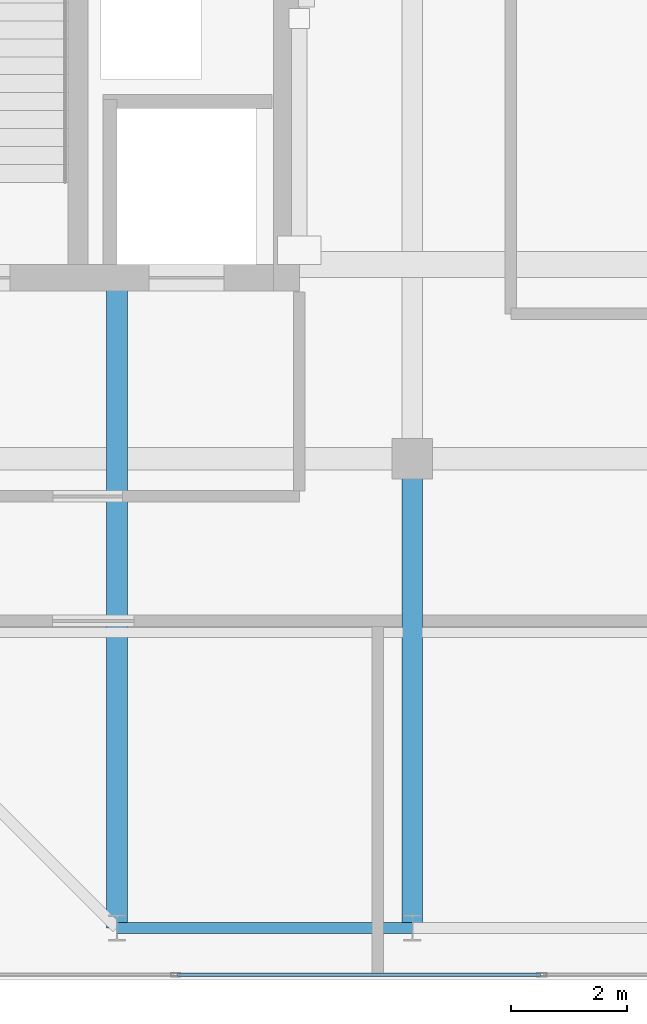
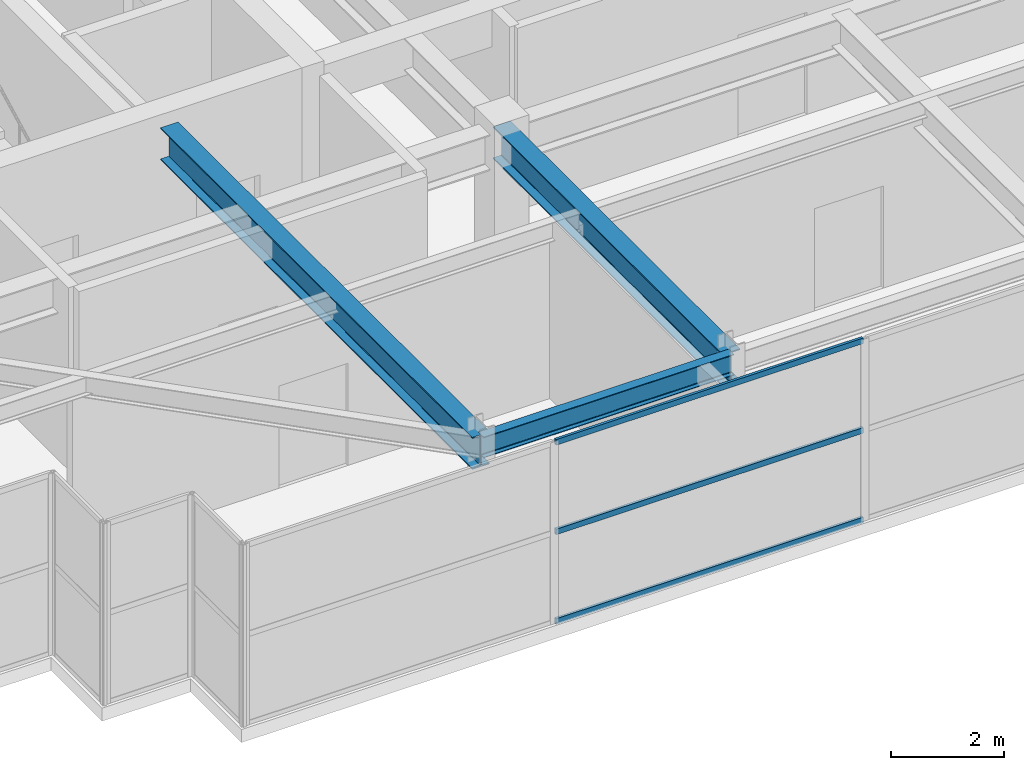
# One storey, part 4 of 32: 3 beams, 3 members, 1 element without a shape of its own.
"""IFC4 building model written with IfcOpenShell, lengths in metres."""

import ifcopenshell
import ifcopenshell.guid

model = None  # the IFC model being written
_history = None  # IfcOwnerHistory: only IFC2X3 demands one
_inside = {}  # id of a spatial element -> (the spatial element, [elements in it])
_under = {}  # id of a project, library or spatial element -> (it, [spatial elements below it])
_declared = {}  # id of a project -> (the project, [libraries it declares])
_typed = {}  # id of a type object -> (the type object, [elements of that type])
_made_of = {}  # id of a material, layer set ... -> (it, [elements and type objects made of it])


def new_model(schema):
    """Start an empty IFC model of exactly this schema.

    Asked for "IFC4X3", IfcOpenShell would pick the latest addendum, in which some entities
    have other attributes; the version numbers below select the first issue.
    IFC2X3 requires an IfcOwnerHistory on every rooted entity: one is made here for all.
    """
    global model, _history
    if schema == "IFC4X3":
        model = ifcopenshell.file(schema_version=(4, 3, 0, 0))
    else:
        model = ifcopenshell.file(schema=schema)
    _inside.clear()
    _under.clear()
    _declared.clear()
    _typed.clear()
    _made_of.clear()
    _history = None
    if model.schema == "IFC2X3":
        org = make("IfcOrganization", Name="unknown")
        user = make(
            "IfcPersonAndOrganization",
            ThePerson=make("IfcPerson", FamilyName="unknown"),
            TheOrganization=org,
        )
        app = make(
            "IfcApplication",
            ApplicationDeveloper=org,
            Version="unknown",
            ApplicationFullName="unknown",
            ApplicationIdentifier="unknown",
        )
        _history = make(
            "IfcOwnerHistory",
            OwningUser=user,
            OwningApplication=app,
            ChangeAction="ADDED",
            CreationDate=0,
        )
    return model


def make(cls, **values):
    """One entity of the class cls with the attributes given. An attribute that is None is left unset."""
    return model.create_entity(
        cls, **{name: value for name, value in values.items() if value is not None}
    )


def rooted(cls, **values):
    """An entity with a GlobalId (a new one), such as an element, a storey or a relation."""
    return make(cls, GlobalId=ifcopenshell.guid.new(), OwnerHistory=_history, **values)


def si_unit(unit_type, name, prefix=None):
    """IfcSIUnit, for example si_unit("LENGTHUNIT", "METRE", prefix="MILLI")."""
    return make("IfcSIUnit", UnitType=unit_type, Prefix=prefix, Name=name)


def assignment(units):
    """IfcUnitAssignment: the units of a project."""
    return None if units is None else make("IfcUnitAssignment", Units=units)


def point(xyz):
    """IfcCartesianPoint."""
    return None if xyz is None else make("IfcCartesianPoint", Coordinates=xyz)


def direction(xyz):
    """IfcDirection."""
    return None if xyz is None else make("IfcDirection", DirectionRatios=xyz)


def frame(location, z_axis=None, x_axis=None):
    """IfcAxis2Placement3D, a coordinate frame: its origin and axes. An axis left out is left unset."""
    return make(
        "IfcAxis2Placement3D",
        Location=point(location),
        Axis=direction(z_axis),
        RefDirection=direction(x_axis),
    )


def frame_2d(location, x_axis=None):
    """IfcAxis2Placement2D, a coordinate frame in the plane: its origin and x axis."""
    return make(
        "IfcAxis2Placement2D", Location=point(location), RefDirection=direction(x_axis)
    )


def origin():
    """The frame at (0, 0, 0) with its axes left unset."""
    return frame((0.0, 0.0, 0.0))


def origin_2d():
    """The frame at (0, 0) in the plane with its x axis left unset."""
    return frame_2d((0.0, 0.0))


def place(relative_to, where):
    """IfcLocalPlacement: puts the frame where relative to a parent placement (None: the world)."""
    return make(
        "IfcLocalPlacement", PlacementRelTo=relative_to, RelativePlacement=where
    )


def context(
    kind, dimensions, precision=None, world=None, true_north=None, identifier=None
):
    """IfcGeometricRepresentationContext, for example the 3D "Model" context."""
    return make(
        "IfcGeometricRepresentationContext",
        ContextIdentifier=identifier,
        ContextType=kind,
        CoordinateSpaceDimension=dimensions,
        Precision=precision,
        WorldCoordinateSystem=world,
        TrueNorth=true_north,
    )


def subcontext(parent, identifier, kind, view, scale=None):
    """IfcGeometricRepresentationSubContext, for example "Body" below "Model"."""
    return make(
        "IfcGeometricRepresentationSubContext",
        ContextIdentifier=identifier,
        ContextType=kind,
        ParentContext=parent,
        TargetScale=scale,
        TargetView=view,
    )


def project(units=None, contexts=None):
    """IfcProject with its units and contexts."""
    return rooted(
        "IfcProject",
        Name="project",
        RepresentationContexts=contexts,
        UnitsInContext=assignment(units),
    )


def spatial(cls, under=None, at=None, **own):
    """A site, building, storey or space (cls), placed at a placement, below another one or the project."""
    s = rooted(cls, ObjectPlacement=at, **own)
    if under is not None:
        _under.setdefault(under.id(), (under, []))[1].append(s)
    return s


def profile(cls, at=None, kind="AREA", **sizes):
    """A parametric profile (cls). Its sizes go by their IFC names, for example OverallWidth=200.0."""
    return make(cls, ProfileType=kind, Position=at, **sizes)


def hollow_rectangle(**sizes):
    """IfcRectangleHollowProfileDef."""
    return profile("IfcRectangleHollowProfileDef", **sizes)


def i_section(**sizes):
    """IfcIShapeProfileDef."""
    return profile("IfcIShapeProfileDef", **sizes)


def extrude(swept, where, along, depth):
    """IfcExtrudedAreaSolid: the profile swept, set in the frame where, extruded along a direction by depth."""
    return make(
        "IfcExtrudedAreaSolid",
        SweptArea=swept,
        Position=where,
        ExtrudedDirection=direction(along),
        Depth=depth,
    )


def shape(context_of_items, identifier, shape_type, items):
    """IfcShapeRepresentation: the items that make up one representation, for example the "Body"."""
    return make(
        "IfcShapeRepresentation",
        ContextOfItems=context_of_items,
        RepresentationIdentifier=identifier,
        RepresentationType=shape_type,
        Items=items,
    )


def source(mapping_origin, context_of_items, identifier, shape_type, items):
    """IfcRepresentationMap: a shape defined once, which mapped items show again and again."""
    return make(
        "IfcRepresentationMap",
        MappingOrigin=mapping_origin,
        MappedRepresentation=shape(context_of_items, identifier, shape_type, items),
    )


def transform(
    local_origin,
    x_axis=None,
    y_axis=None,
    z_axis=None,
    scale=None,
    scale2=None,
    scale3=None,
    uniform=True,
):
    """IfcCartesianTransformationOperator3D, or its non-uniform kind. x_axis, y_axis, z_axis: its Axis1, 2, 3."""
    if uniform:
        return make(
            "IfcCartesianTransformationOperator3D",
            Axis1=direction(x_axis),
            Axis2=direction(y_axis),
            LocalOrigin=point(local_origin),
            Scale=scale,
            Axis3=direction(z_axis),
        )
    return make(
        "IfcCartesianTransformationOperator3DnonUniform",
        Axis1=direction(x_axis),
        Axis2=direction(y_axis),
        LocalOrigin=point(local_origin),
        Scale=scale,
        Axis3=direction(z_axis),
        Scale2=scale2,
        Scale3=scale3,
    )


def mapped(mapping_source, mapping_target):
    """IfcMappedItem: shows the shape of a source again, moved by a transform."""
    return make(
        "IfcMappedItem", MappingSource=mapping_source, MappingTarget=mapping_target
    )


def material(Name=None, Category=None):
    """IfcMaterial."""
    return make("IfcMaterial", Name=Name, Category=Category)


def layer(
    of_material, thickness, ventilated=None, Name=None, Category=None, Priority=None
):
    """IfcMaterialLayer: one layer of a wall or slab, of a material (None: an air gap)."""
    return make(
        "IfcMaterialLayer",
        Material=of_material,
        LayerThickness=thickness,
        IsVentilated=ventilated,
        Name=Name,
        Category=Category,
        Priority=Priority,
    )


def layer_set(layers, Name=None):
    """IfcMaterialLayerSet."""
    return make("IfcMaterialLayerSet", MaterialLayers=layers, LayerSetName=Name)


def material_profile(
    of_material, cross_section, Name=None, Category=None, Priority=None
):
    """IfcMaterialProfile: a cross section and its material."""
    return make(
        "IfcMaterialProfile",
        Name=Name,
        Material=of_material,
        Profile=cross_section,
        Priority=Priority,
        Category=Category,
    )


def profile_set(profiles, Name=None, composite=None):
    """IfcMaterialProfileSet."""
    return make(
        "IfcMaterialProfileSet",
        Name=Name,
        MaterialProfiles=profiles,
        CompositeProfile=composite,
    )


def made_of(thing, what):
    """Note that an element or type object is made of a material, layer set ...; save() writes the relation."""
    if what is not None:
        _made_of.setdefault(what.id(), (what, []))[1].append(thing)
    return thing


def type_object(cls, material=None, **own):
    """A type object (cls), such as IfcWallType, which elements share."""
    return made_of(rooted(cls, **own), material)


def element(
    cls,
    number,
    at=None,
    inside=None,
    cuts=None,
    type_object=None,
    material=None,
    context=None,
    identifier="Body",
    shape_type=None,
    held_by="IfcProductDefinitionShape",
    body=None,
    shapes=None,
    **own,
):
    """One element of the class cls, such as IfcWall. Its Tag is "e" and its number.

    at: its placement. inside: the storey or other place that contains it. cuts: it is an
    opening in that element (IfcRelVoidsElement). A single representation is given by context,
    identifier, shape_type and body (its items); several are given by shapes. held_by: the class
    of the entity that holds the representations. save() writes the other relations.
    """
    e = rooted(cls, Tag="e%d" % number, ObjectPlacement=at, **own)
    if body is not None:
        shapes = [shape(context, identifier, shape_type, body)]
    if shapes is not None:
        e.Representation = make(held_by, Representations=shapes)
    if inside is not None:
        _inside.setdefault(inside.id(), (inside, []))[1].append(e)
    if cuts is not None:
        rooted(
            "IfcRelVoidsElement", RelatingBuildingElement=cuts, RelatedOpeningElement=e
        )
    if type_object is not None:
        _typed.setdefault(type_object.id(), (type_object, []))[1].append(e)
    return made_of(e, material)


def aggregate(whole, parts):
    """IfcRelAggregates: a whole, such as a stair, and the parts it consists of."""
    return rooted("IfcRelAggregates", RelatingObject=whole, RelatedObjects=parts)


def save(model, path):
    """Write the relations noted so far, then the file.

    IfcRelAggregates (storeys below a building ...), IfcRelContainedInSpatialStructure (elements
    in a storey), IfcRelDefinesByType, IfcRelAssociatesMaterial and IfcRelDeclares: one each for
    every whole, place, type object, material and project.
    """
    for whole, parts in _under.values():
        aggregate(whole, parts)
    for where, things in _inside.values():
        rooted(
            "IfcRelContainedInSpatialStructure",
            RelatedElements=things,
            RelatingStructure=where,
        )
    for kind, things in _typed.values():
        rooted("IfcRelDefinesByType", RelatedObjects=things, RelatingType=kind)
    for what, things in _made_of.values():
        rooted("IfcRelAssociatesMaterial", RelatedObjects=things, RelatingMaterial=what)
    for by, libraries in _declared.values():
        rooted("IfcRelDeclares", RelatingContext=by, RelatedDefinitions=libraries)
    model.write(path)


model = new_model("IFC4")

# Units and contexts
model_context = context("Model", 3, precision=1e-05, world=origin(), true_north=direction((0.0, 1.0)))
body_context = subcontext(model_context, "Body", "Model", "MODEL_VIEW")
ifc_project = project(units=[si_unit("LENGTHUNIT", "METRE"), si_unit("AREAUNIT", "SQUARE_METRE"), si_unit("VOLUMEUNIT", "CUBIC_METRE"), si_unit("PLANEANGLEUNIT", "RADIAN"), si_unit("MASSUNIT", "GRAM", prefix="KILO")], contexts=[model_context])

# Site, building, storey
site_placement = place(None, origin())
site = spatial("IfcSite", under=ifc_project, at=site_placement, CompositionType="ELEMENT")
building_placement = place(site_placement, origin())
building = spatial("IfcBuilding", under=site, at=building_placement, Name="Khoralis Quay Care Tower", CompositionType="ELEMENT")
storey_placement = place(building_placement, frame((0.0, 0.0, 306.300048828125)))
storey = spatial("IfcBuildingStorey", under=building, at=storey_placement, Name="L80", CompositionType="ELEMENT", Elevation=306.300048828125)

# Beams
ifc_material_1 = material(Name="Steel S355", Category="steel")
ifc_material_profile_1 = material_profile(ifc_material_1, i_section(OverallWidth=0.18994140625, OverallDepth=0.449951171875, WebThickness=0.009521484375, FlangeThickness=0.0146484375, FilletRadius=0.02099609375, at=origin_2d()), Name="Steel S355")
ifc_profile_set_1 = profile_set([ifc_material_profile_1], Name="Steel S355")
beam_type_1 = type_object("IfcBeamType", Name="BM-IPE450", PredefinedType="SPANDREL", material=ifc_profile_set_1)
shared_shape_1 = source(origin(), body_context, "Body", "SweptSolid", [
    extrude(i_section(OverallWidth=0.18994140625, OverallDepth=0.449951171875, WebThickness=0.009521484375, FlangeThickness=0.0146484375, FilletRadius=0.02099609375, at=origin_2d()), origin(), (0.0, 0.0, 1.0), 5.10009765625),
])
beam_1_placement = place(storey_placement, frame((12.0, 3.89990234375, 3.695068359375), z_axis=(1.0, 0.0, 0.0), x_axis=(0.0, 1.0, 0.0)))
element("IfcBeam", 1, at=beam_1_placement, inside=storey, type_object=beam_type_1, Name="BM-TSP-L80-01", PredefinedType="SPANDREL", context=body_context, shape_type="MappedRepresentation", body=[
    mapped(shared_shape_1, transform((0.0, 0.0, 0.0), scale=1.0)),
])
ifc_material_profile_2 = material_profile(ifc_material_1, i_section(OverallWidth=0.35498046875, OverallDepth=0.695068359375, WebThickness=0.015380859375, FlangeThickness=0.02490234375, FilletRadius=0.02001953125, at=origin_2d()), Name="Steel S355")
ifc_profile_set_2 = profile_set([ifc_material_profile_2], Name="Steel S355")
beam_type_2 = type_object("IfcBeamType", Name="BM-W690X217", PredefinedType="BEAM", material=ifc_profile_set_2)
shared_shape_2 = source(origin(), body_context, "Body", "SweptSolid", [
    extrude(i_section(OverallWidth=0.35498046875, OverallDepth=0.695068359375, WebThickness=0.015380859375, FlangeThickness=0.02490234375, FilletRadius=0.02001953125, at=origin_2d()), origin(), (0.0, 0.0, 1.0), 11.002197265625),
])
beam_2_placement = place(storey_placement, frame((12.0, 3.89990234375, 3.572509765625), z_axis=(0.0, 1.0, 0.0), x_axis=(-1.0, 0.0, 0.0)))
element("IfcBeam", 2, at=beam_2_placement, inside=storey, type_object=beam_type_2, Name="BM-TGYS-L80-120", PredefinedType="BEAM", context=body_context, shape_type="MappedRepresentation", body=[
    mapped(shared_shape_2, transform((0.0, 0.0, 0.0), scale=1.0)),
])
shared_shape_3 = source(origin(), body_context, "Body", "SweptSolid", [
    extrude(i_section(OverallWidth=0.35498046875, OverallDepth=0.695068359375, WebThickness=0.015380859375, FlangeThickness=0.02490234375, FilletRadius=0.02001953125, at=origin_2d()), origin(), (0.0, 0.0, 1.0), 8.10009765625),
])
beam_3_placement = place(storey_placement, frame((17.10009765625, 3.89990234375, 3.572509765625), z_axis=(0.0, 1.0, 0.0), x_axis=(-1.0, 0.0, 0.0)))
element("IfcBeam", 3, at=beam_3_placement, inside=storey, type_object=beam_type_2, Name="BM-TGYS-L80-171", PredefinedType="BEAM", context=body_context, shape_type="MappedRepresentation", body=[
    mapped(shared_shape_3, transform((0.0, 0.0, 0.0), scale=1.0)),
])

# Curtain wall, members
ifc_material_2 = material(Name="Pale anodised aluminium", Category="aluminium")
ifc_layer = layer(ifc_material_2, 0.199951171875)
ifc_layer_set = layer_set([ifc_layer], Name="Pale anodised aluminium")
curtain_wall_type = type_object("IfcCurtainWallType", Name="CW-SYS-LANTERN", PredefinedType="NOTDEFINED", material=ifc_layer_set)
curtain_wall_placement = place(storey_placement, origin())
curtain_wall = element("IfcCurtainWall", 4, at=curtain_wall_placement, inside=storey, type_object=curtain_wall_type, Name="L80 Unitised Curtain Wall CW-LN-L80-01", PredefinedType="NOTDEFINED")
ifc_material_profile_3 = material_profile(ifc_material_2, hollow_rectangle(XDim=0.054931640625, YDim=0.1201171875, WallThickness=0.00390625, at=origin_2d()), Name="Pale anodised aluminium")
ifc_profile_set_3 = profile_set([ifc_material_profile_3], Name="Pale anodised aluminium")
member_type = type_object("IfcMemberType", Name="CW-TRN-120", PredefinedType="USERDEFINED", material=ifc_profile_set_3)
shared_shape_4 = source(origin(), body_context, "Body", "SweptSolid", [
    extrude(hollow_rectangle(XDim=0.054931640625, YDim=0.1201171875, WallThickness=0.00390625, at=origin_2d()), origin(), (0.0, 0.0, 1.0), 6.26416015625),
])
member_1_placement = place(storey_placement, frame((13.0439453125, 3.090087890625, 0.030029296875), z_axis=(1.0, 0.0, 0.0), x_axis=(0.0, 1.0, 0.0)))
member_1 = element("IfcMember", 5, at=member_1_placement, type_object=member_type, Name="CW5 transom 2.1", ObjectType="TRANSOM", PredefinedType="USERDEFINED", context=body_context, shape_type="MappedRepresentation", body=[
    mapped(shared_shape_4, transform((0.0, 0.0, 0.0), scale=1.0)),
])
member_2_placement = place(storey_placement, frame((13.0439453125, 3.090087890625, 1.9599609375), z_axis=(1.0, 0.0, 0.0), x_axis=(0.0, 1.0, 0.0)))
member_2 = element("IfcMember", 6, at=member_2_placement, type_object=member_type, Name="CW5 transom 2.2", ObjectType="TRANSOM", PredefinedType="USERDEFINED", context=body_context, shape_type="MappedRepresentation", body=[
    mapped(shared_shape_4, transform((0.0, 0.0, 0.0), scale=1.0)),
])
member_3_placement = place(storey_placement, frame((13.0439453125, 3.090087890625, 3.889892578125), z_axis=(1.0, 0.0, 0.0), x_axis=(0.0, 1.0, 0.0)))
member_3 = element("IfcMember", 7, at=member_3_placement, type_object=member_type, Name="CW5 transom 2.3", ObjectType="TRANSOM", PredefinedType="USERDEFINED", context=body_context, shape_type="MappedRepresentation", body=[
    mapped(shared_shape_4, transform((0.0, 0.0, 0.0), scale=1.0)),
])
aggregate(curtain_wall, [member_1, member_2, member_3])

save(model, "model.ifc")
